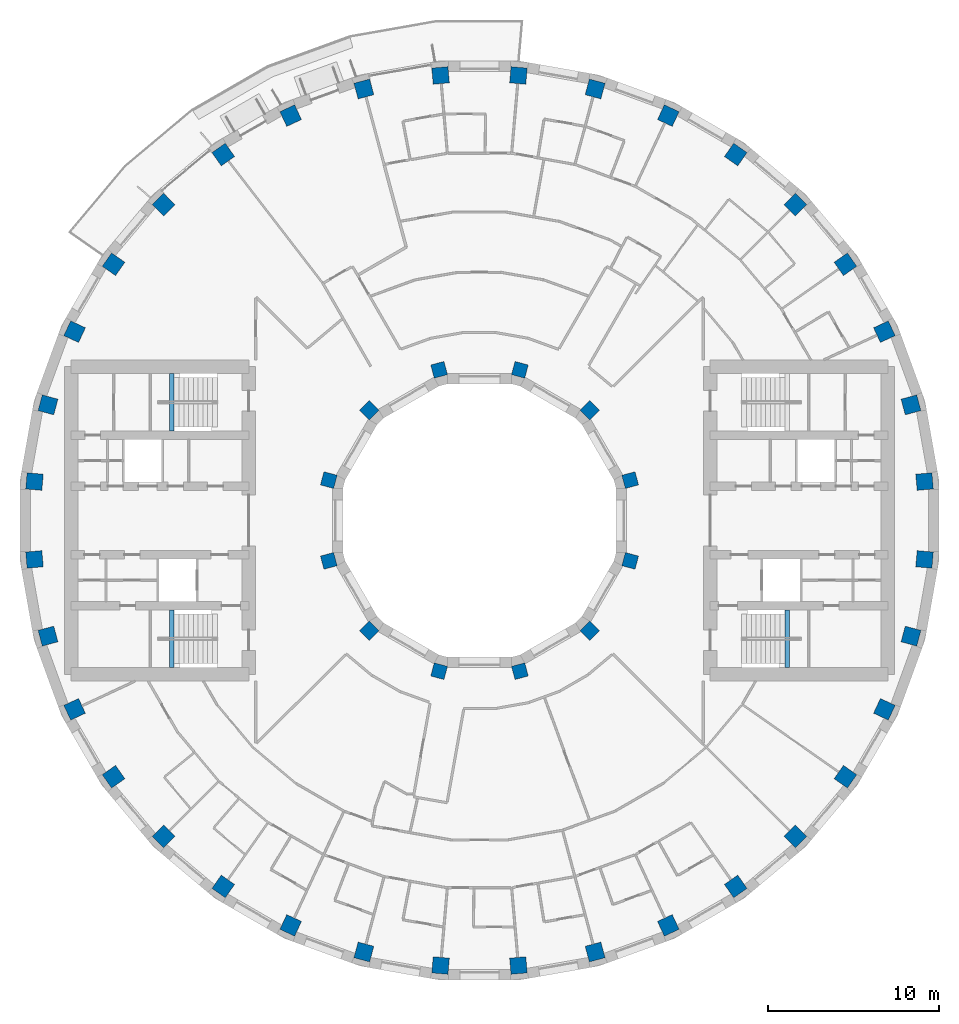
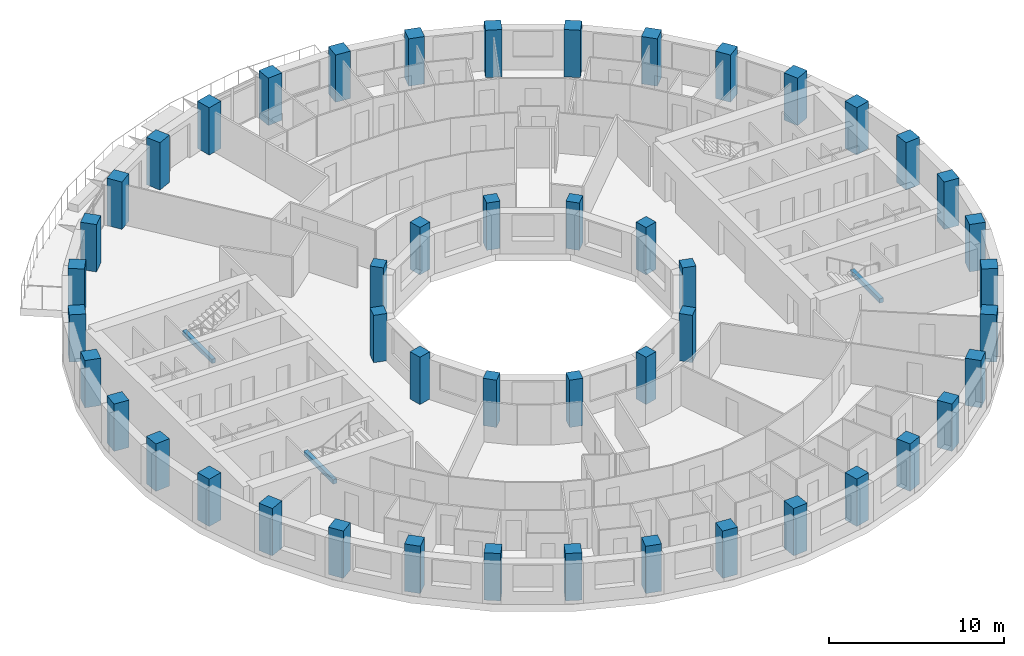
# One storey, part 1 of 14: 48 columns, 3 beams.
"""IFC4 building model written with IfcOpenShell, lengths in metres."""

from ifc_helpers import new_model, si_unit, direction, frame, origin, origin_2d, place, context, subcontext, project, spatial, rectangle, extrude, material, material_profile, profile_set, type_object, element, save


model = new_model("IFC4")

# Units and contexts
model_context = context("Model", 3, precision=1e-05, world=origin(), true_north=direction((0.0, 1.0)))
body_context = subcontext(model_context, "Body", "Model", "MODEL_VIEW")
ifc_project = project(units=[si_unit("LENGTHUNIT", "METRE"), si_unit("AREAUNIT", "SQUARE_METRE"), si_unit("VOLUMEUNIT", "CUBIC_METRE"), si_unit("PLANEANGLEUNIT", "RADIAN"), si_unit("MASSUNIT", "GRAM", prefix="KILO")], contexts=[model_context])

# Site, building, storey
site_placement = place(None, origin())
site = spatial("IfcSite", under=ifc_project, at=site_placement, CompositionType="ELEMENT")
building_placement = place(site_placement, origin())
building = spatial("IfcBuilding", under=site, at=building_placement, Name="Saqina Gate Tower", CompositionType="ELEMENT")
storey_placement = place(building_placement, frame((0.0, 0.0, 95.199951171875)))
storey = spatial("IfcBuildingStorey", under=building, at=storey_placement, Name="L26", CompositionType="ELEMENT", Elevation=95.199951171875)

# Columns
ifc_material_1 = material(Name="Concrete C70/85", Category="concrete")
ifc_material_profile_1 = material_profile(ifc_material_1, rectangle(XDim=0.800048828125, YDim=0.800048828125, at=origin_2d()), Name="RC 800x800")
ifc_profile_set_1 = profile_set([ifc_material_profile_1], Name="Concrete C70/85")
column_type_1 = type_object("IfcColumnType", Name="STR-COL-IN-B", PredefinedType="COLUMN", material=ifc_profile_set_1)
for number, where, z_axis, x_axis, name in (
    (1, (8.821044921875, 2.363525390625, 0.0), (0.0, 0.0, 1.0), (0.965925826289, 0.258819045103, 0.0), "L26-ICL01"),
    (2, (6.45751953125, 6.45751953125, 0.0), (0.0, 0.0, 1.0), (0.707106781187, 0.707106781187, 0.0), "L26-ICL02"),
    (3, (2.363525390625, 8.821044921875, 0.0), (0.0, 0.0, 1.0), (0.258819045103, 0.965925826289, 0.0), "L26-ICL03"),
    (4, (-2.363525390625, 8.821044921875, 0.0), (0.0, 0.0, 1.0), (-0.258819045103, 0.965925826289, 0.0), "L26-ICL04"),
    (5, (-6.45751953125, 6.45751953125, 0.0), (0.0, 0.0, 1.0), (-0.707106781187, 0.707106781187, 0.0), "L26-ICL05"),
    (6, (-8.821044921875, 2.363525390625, 0.0), (0.0, 0.0, 1.0), (-0.965925826289, 0.258819045103, 0.0), "L26-ICL06"),
    (7, (-8.821044921875, -2.363525390625, 0.0), (0.0, 0.0, 1.0), (-0.965925826289, -0.258819045103, 0.0), "L26-ICL07"),
    (8, (-6.45751953125, -6.45751953125, 0.0), (0.0, 0.0, 1.0), (-0.707106781187, -0.707106781187, 0.0), "L26-ICL08"),
    (9, (-2.363525390625, -8.821044921875, 0.0), (0.0, 0.0, 1.0), (-0.258819045103, -0.965925826289, 0.0), "L26-ICL09"),
    (10, (2.363525390625, -8.821044921875, 0.0), (0.0, 0.0, 1.0), (0.258819045103, -0.965925826289, 0.0), "L26-ICL10"),
    (11, (6.45751953125, -6.45751953125, 0.0), (0.0, 0.0, 1.0), (0.707106781187, -0.707106781187, 0.0), "L26-ICL11"),
    (12, (8.821044921875, -2.363525390625, 0.0), (0.0, 0.0, 1.0), (0.965925826289, -0.258819045103, 0.0), "L26-ICL12"),
):
    element("IfcColumn", number, at=place(storey_placement, frame(where, z_axis=z_axis, x_axis=x_axis)), inside=storey, type_object=column_type_1, Name=name, PredefinedType="COLUMN", context=body_context, shape_type="SweptSolid", body=[
        extrude(rectangle(XDim=0.800048828125, YDim=0.800048828125, at=origin_2d()), origin(), (0.0, 0.0, 1.0), 3.300048828125),
    ])
ifc_material_2 = material(Name="Concrete C70/85", Category="concrete")
ifc_material_profile_2 = material_profile(ifc_material_2, rectangle(XDim=0.949951171875, YDim=0.949951171875, at=origin_2d()), Name="RC 950x950")
ifc_profile_set_2 = profile_set([ifc_material_profile_2], Name="Concrete C70/85")
column_type_2 = type_object("IfcColumnType", Name="STR-COL-OUT-B", PredefinedType="COLUMN", material=ifc_profile_set_2)
for number, where, z_axis, x_axis, name in (
    (13, (26.050537109375, 2.279052734375, 0.0), (0.0, 0.0, 1.0), (0.996194698092, 0.087155742748, 0.0), "L26-COL01"),
    (14, (25.259033203125, 6.76806640625, 0.0), (0.0, 0.0, 1.0), (0.965925826289, 0.258819045103, 0.0), "L26-COL02"),
    (15, (23.699951171875, 11.051513671875, 0.0), (0.0, 0.0, 1.0), (0.906307787037, 0.422618261741, 0.0), "L26-COL03"),
    (16, (21.4208984375, 14.9990234375, 0.0), (0.0, 0.0, 1.0), (0.819152044289, 0.573576436351, 0.0), "L26-COL04"),
    (17, (18.49072265625, 18.49072265625, 0.0), (0.0, 0.0, 1.0), (0.707106781187, 0.707106781187, 0.0), "L26-COL05"),
    (18, (14.9990234375, 21.4208984375, 0.0), (0.0, 0.0, 1.0), (0.573576436351, 0.819152044289, 0.0), "L26-COL06"),
    (19, (11.051513671875, 23.699951171875, 0.0), (0.0, 0.0, 1.0), (0.422618261741, 0.906307787037, 0.0), "L26-COL07"),
    (20, (6.76806640625, 25.259033203125, 0.0), (0.0, 0.0, 1.0), (0.258819045103, 0.965925826289, 0.0), "L26-COL08"),
    (21, (2.279052734375, 26.050537109375, 0.0), (0.0, 0.0, 1.0), (0.087155742748, 0.996194698092, 0.0), "L26-COL09"),
    (22, (-2.279052734375, 26.050537109375, 0.0), (0.0, 0.0, 1.0), (-0.087155742748, 0.996194698092, 0.0), "L26-COL10"),
    (23, (-6.76806640625, 25.259033203125, 0.0), (0.0, 0.0, 1.0), (-0.258819045103, 0.965925826289, 0.0), "L26-COL11"),
    (24, (-11.051513671875, 23.699951171875, 0.0), (0.0, 0.0, 1.0), (-0.422618261741, 0.906307787037, 0.0), "L26-COL12"),
    (25, (-14.9990234375, 21.4208984375, 0.0), (0.0, 0.0, 1.0), (-0.573576436351, 0.819152044289, 0.0), "L26-COL13"),
    (26, (-18.49072265625, 18.49072265625, 0.0), (0.0, 0.0, 1.0), (-0.707106781187, 0.707106781187, 0.0), "L26-COL14"),
    (27, (-21.4208984375, 14.9990234375, 0.0), (0.0, 0.0, 1.0), (-0.819152044289, 0.573576436351, 0.0), "L26-COL15"),
    (28, (-23.699951171875, 11.051513671875, 0.0), (0.0, 0.0, 1.0), (-0.906307787037, 0.422618261741, 0.0), "L26-COL16"),
    (29, (-25.259033203125, 6.76806640625, 0.0), (0.0, 0.0, 1.0), (-0.965925826289, 0.258819045103, 0.0), "L26-COL17"),
    (30, (-26.050537109375, 2.279052734375, 0.0), (0.0, 0.0, 1.0), (-0.996194698092, 0.087155742748, 0.0), "L26-COL18"),
    (31, (-26.050537109375, -2.279052734375, 0.0), (0.0, 0.0, 1.0), (-0.996194698092, -0.087155742748, 0.0), "L26-COL19"),
    (32, (-25.259033203125, -6.76806640625, 0.0), (0.0, 0.0, 1.0), (-0.965925826289, -0.258819045103, 0.0), "L26-COL20"),
    (33, (-23.699951171875, -11.051513671875, 0.0), (0.0, 0.0, 1.0), (-0.906307787037, -0.422618261741, 0.0), "L26-COL21"),
    (34, (-21.4208984375, -14.9990234375, 0.0), (0.0, 0.0, 1.0), (-0.819152044289, -0.573576436351, 0.0), "L26-COL22"),
    (35, (-18.49072265625, -18.49072265625, 0.0), (0.0, 0.0, 1.0), (-0.707106781187, -0.707106781187, 0.0), "L26-COL23"),
    (36, (-14.9990234375, -21.4208984375, 0.0), (0.0, 0.0, 1.0), (-0.573576436351, -0.819152044289, 0.0), "L26-COL24"),
    (37, (-11.051513671875, -23.699951171875, 0.0), (0.0, 0.0, 1.0), (-0.422618261741, -0.906307787037, 0.0), "L26-COL25"),
    (38, (-6.76806640625, -25.259033203125, 0.0), (0.0, 0.0, 1.0), (-0.258819045103, -0.965925826289, 0.0), "L26-COL26"),
    (39, (-2.279052734375, -26.050537109375, 0.0), (0.0, 0.0, 1.0), (-0.087155742748, -0.996194698092, 0.0), "L26-COL27"),
    (40, (2.279052734375, -26.050537109375, 0.0), (0.0, 0.0, 1.0), (0.087155742748, -0.996194698092, 0.0), "L26-COL28"),
    (41, (6.76806640625, -25.259033203125, 0.0), (0.0, 0.0, 1.0), (0.258819045103, -0.965925826289, 0.0), "L26-COL29"),
    (42, (11.051513671875, -23.699951171875, 0.0), (0.0, 0.0, 1.0), (0.422618261741, -0.906307787037, 0.0), "L26-COL30"),
    (43, (14.9990234375, -21.4208984375, 0.0), (0.0, 0.0, 1.0), (0.573576436351, -0.819152044289, 0.0), "L26-COL31"),
    (44, (18.49072265625, -18.49072265625, 0.0), (0.0, 0.0, 1.0), (0.707106781187, -0.707106781187, 0.0), "L26-COL32"),
    (45, (21.4208984375, -14.9990234375, 0.0), (0.0, 0.0, 1.0), (0.819152044289, -0.573576436351, 0.0), "L26-COL33"),
    (46, (23.699951171875, -11.051513671875, 0.0), (0.0, 0.0, 1.0), (0.906307787037, -0.422618261741, 0.0), "L26-COL34"),
    (47, (25.259033203125, -6.76806640625, 0.0), (0.0, 0.0, 1.0), (0.965925826289, -0.258819045103, 0.0), "L26-COL35"),
    (48, (26.050537109375, -2.279052734375, 0.0), (0.0, 0.0, 1.0), (0.996194698092, -0.087155742748, 0.0), "L26-COL36"),
):
    element("IfcColumn", number, at=place(storey_placement, frame(where, z_axis=z_axis, x_axis=x_axis)), inside=storey, type_object=column_type_2, Name=name, PredefinedType="COLUMN", context=body_context, shape_type="SweptSolid", body=[
        extrude(rectangle(XDim=0.949951171875, YDim=0.949951171875, at=origin_2d()), origin(), (0.0, 0.0, 1.0), 3.300048828125),
    ])

# Beams
ifc_material_3 = material(Name="Concrete C40/50", Category="concrete")
ifc_material_profile_3 = material_profile(ifc_material_3, rectangle(XDim=0.25, YDim=0.300048828125, at=origin_2d()), Name="STAIR LANDING BEAM")
ifc_profile_set_3 = profile_set([ifc_material_profile_3], Name="Concrete C40/50")
beam_type = type_object("IfcBeamType", Name="STAIR LANDING BEAM", PredefinedType="BEAM", material=ifc_profile_set_3)
for number, where, z_axis, x_axis, name in (
    (49, (18.02001953125, -8.60009765625, 1.25), (0.0, 1.0, 0.0), (-1.0, 0.0, 0.0), "EXIT STAIR 2 LANDING BEAM"),
    (50, (-18.02001953125, 5.25, 1.25), (0.0, 1.0, 0.0), (-1.0, 0.0, 0.0), "EXIT STAIR 3 LANDING BEAM"),
    (51, (-18.02001953125, -8.60009765625, 1.25), (0.0, 1.0, 0.0), (-1.0, 0.0, 0.0), "EXIT STAIR 4 LANDING BEAM"),
):
    element("IfcBeam", number, at=place(storey_placement, frame(where, z_axis=z_axis, x_axis=x_axis)), inside=storey, type_object=beam_type, Name=name, PredefinedType="BEAM", context=body_context, shape_type="SweptSolid", body=[
        extrude(rectangle(XDim=0.25, YDim=0.300048828125, at=origin_2d()), origin(), (0.0, 0.0, 1.0), 3.35009765625),
    ])

save(model, "model.ifc")
